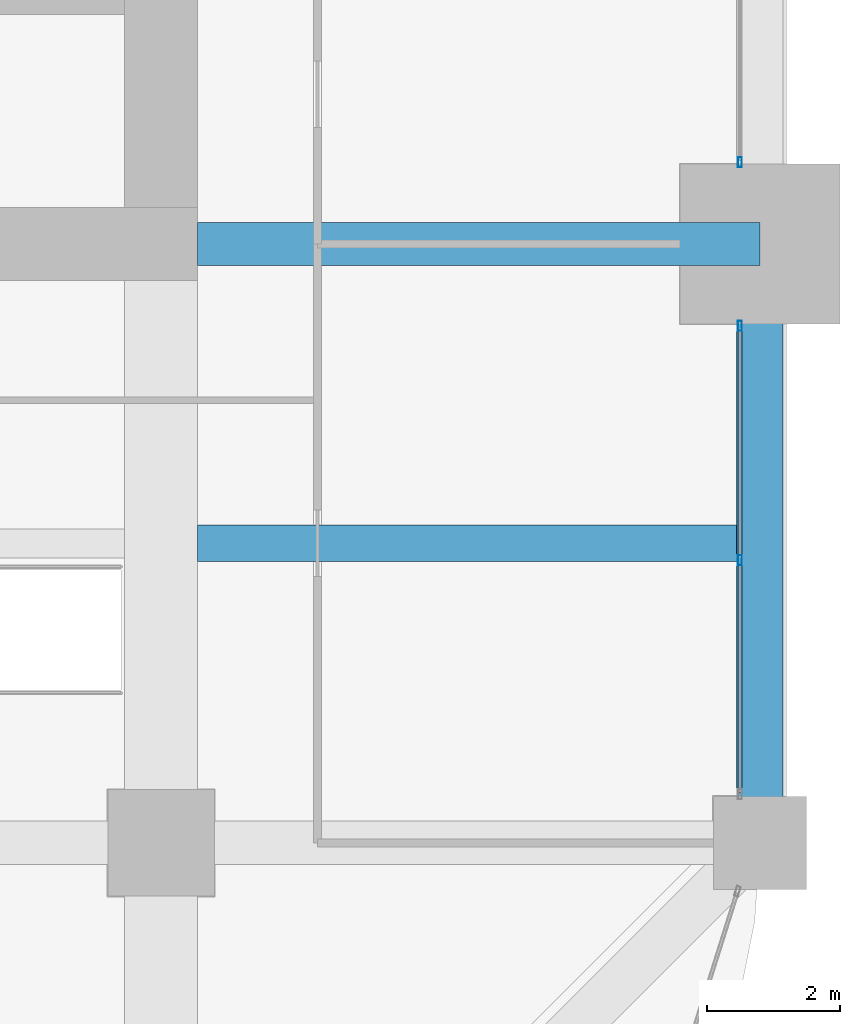
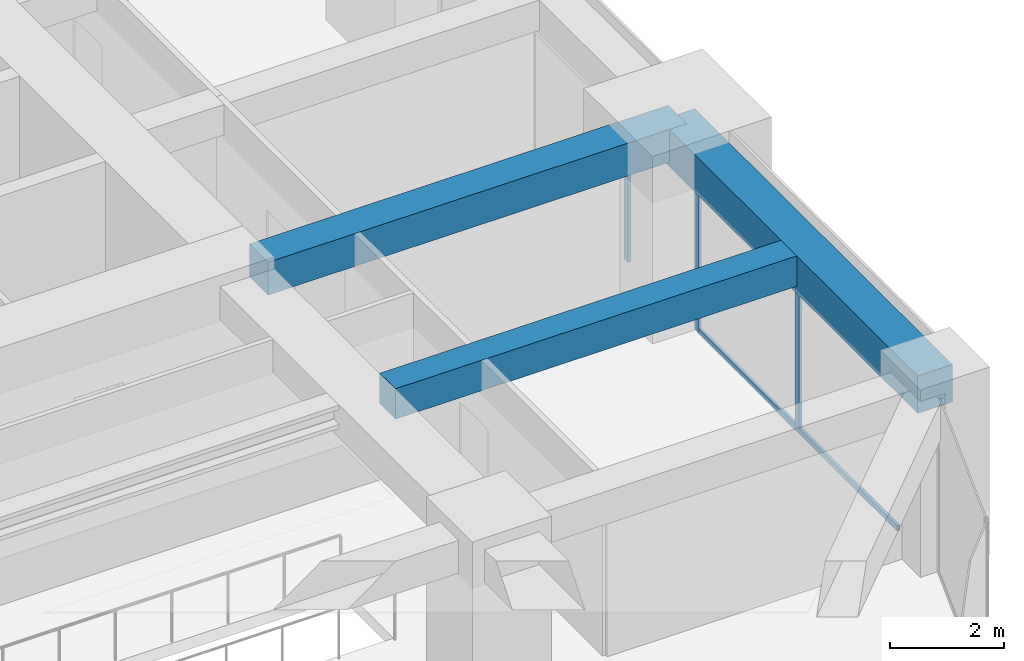
# One storey, part 17 of 33: 4 members, 3 beams, 2 elements without a shape of their own.
"""IFC4 building model written with IfcOpenShell, lengths in metres."""

from ifc_helpers import new_model, si_unit, direction, frame, origin, origin_2d, place, context, subcontext, project, spatial, rectangle, hollow_rectangle, extrude, material, material_profile, profile_set, type_object, element, aggregate, save


model = new_model("IFC4")

# Units and contexts
model_context = context("Model", 3, precision=1e-05, world=origin(), true_north=direction((0.0, 1.0)))
body_context = subcontext(model_context, "Body", "Model", "MODEL_VIEW")
ifc_project = project(units=[si_unit("LENGTHUNIT", "METRE"), si_unit("AREAUNIT", "SQUARE_METRE"), si_unit("VOLUMEUNIT", "CUBIC_METRE"), si_unit("PLANEANGLEUNIT", "RADIAN"), si_unit("MASSUNIT", "GRAM", prefix="KILO")], contexts=[model_context])

# Site, building, storey
site_placement = place(None, origin())
site = spatial("IfcSite", under=ifc_project, at=site_placement, CompositionType="ELEMENT")
building_placement = place(site_placement, origin())
building = spatial("IfcBuilding", under=site, at=building_placement, Name="Zorevar Civic Tower", CompositionType="ELEMENT")
storey_placement = place(building_placement, frame((0.0, 0.0, 178.199951171875)))
storey = spatial("IfcBuildingStorey", under=building, at=storey_placement, Name="L43", CompositionType="ELEMENT", Elevation=178.199951171875)

# Beams
ifc_material_1 = material(Name="Concrete C50/60", Category="concrete")
ifc_material_profile_1 = material_profile(ifc_material_1, rectangle(XDim=0.550048828125, YDim=0.64990234375, at=origin_2d()), Name="RC 550x650")
ifc_profile_set_1 = profile_set([ifc_material_profile_1], Name="Concrete C50/60")
beam_type_1 = type_object("IfcBeamType", Name="Beam RC 550x650", PredefinedType="BEAM", material=ifc_profile_set_1)
beam_1_placement = place(storey_placement, frame((45.550048828125, 13.5, 3.425048828125), z_axis=(1.0, 0.0, 0.0), x_axis=(0.0, 1.0, 0.0)))
element("IfcBeam", 1, at=beam_1_placement, inside=storey, type_object=beam_type_1, Name="Secondary beam L44", PredefinedType="BEAM", context=body_context, shape_type="SweptSolid", body=[
    extrude(rectangle(XDim=0.550048828125, YDim=0.64990234375, at=origin_2d()), origin(), (0.0, 0.0, 1.0), 8.099853515625),
])
ifc_material_2 = material(Name="Concrete C50/60", Category="concrete")
ifc_material_profile_2 = material_profile(ifc_material_2, rectangle(XDim=0.64990234375, YDim=0.699951171875, at=origin_2d()), Name="RC 650x700")
ifc_profile_set_2 = profile_set([ifc_material_profile_2], Name="Concrete C50/60")
beam_type_2 = type_object("IfcBeamType", Name="Beam RC 650x700", PredefinedType="BEAM", material=ifc_profile_set_2)
beam_2_placement = place(storey_placement, frame((45.550048828125, 18.0, 3.400146484375), z_axis=(1.0, 0.0, 0.0), x_axis=(0.0, 1.0, 0.0)))
element("IfcBeam", 2, at=beam_2_placement, inside=storey, type_object=beam_type_2, Name="Girder L44", PredefinedType="BEAM", context=body_context, shape_type="SweptSolid", body=[
    extrude(rectangle(XDim=0.64990234375, YDim=0.699951171875, at=origin_2d()), origin(), (0.0, 0.0, 1.0), 8.449951171875),
])

# Curtain wall, members
ifc_material_3 = material(Name="Dark grey solar-control glass in black aluminium frame", Category="aluminium")
curtain_wall_type = type_object("IfcCurtainWallType", Name="Curtain wall CW4 high zone", PredefinedType="NOTDEFINED", material=ifc_material_3)
curtain_wall_1_placement = place(storey_placement, origin())
curtain_wall_1 = element("IfcCurtainWall", 3, at=curtain_wall_1_placement, inside=storey, type_object=curtain_wall_type, Name="CW4 L43", PredefinedType="NOTDEFINED")
ifc_material_4 = material(Name="Aluminium, black anodised", Category="aluminium")
ifc_material_profile_3 = material_profile(ifc_material_4, hollow_rectangle(XDim=0.06005859375, YDim=0.14990234375, WallThickness=0.00390625, at=origin_2d()), Name="AL 150x60x4")
ifc_profile_set_3 = profile_set([ifc_material_profile_3], Name="Aluminium, black anodised")
member_type_1 = type_object("IfcMemberType", Name="CW4 mullion AL 150x60x4", PredefinedType="MULLION", material=ifc_profile_set_3)
member_1_placement = place(storey_placement, frame((53.699951171875, 13.25, 0.06005859375), z_axis=(0.0, 0.0, 1.0), x_axis=(-1.0, 0.0, 0.0)))
member_1 = element("IfcMember", 4, at=member_1_placement, type_object=member_type_1, Name="CW4 mullion 2", PredefinedType="MULLION", context=body_context, shape_type="SweptSolid", body=[
    extrude(hollow_rectangle(XDim=0.06005859375, YDim=0.14990234375, WallThickness=0.00390625, at=origin_2d()), origin(), (0.0, 0.0, 1.0), 2.889892578125),
])
member_2_placement = place(storey_placement, frame((53.699951171875, 16.77001953125, 0.0), z_axis=(0.0, 0.0, 1.0), x_axis=(-1.0, 0.0, 0.0)))
member_2 = element("IfcMember", 5, at=member_2_placement, type_object=member_type_1, Name="CW4 mullion 3", PredefinedType="MULLION", context=body_context, shape_type="SweptSolid", body=[
    extrude(hollow_rectangle(XDim=0.06005859375, YDim=0.14990234375, WallThickness=0.00390625, at=origin_2d()), origin(), (0.0, 0.0, 1.0), 2.949951171875),
])

# Curtain wall, member
curtain_wall_2_placement = place(storey_placement, origin())
curtain_wall_2 = element("IfcCurtainWall", 6, at=curtain_wall_2_placement, inside=storey, type_object=curtain_wall_type, Name="CW4 L43", PredefinedType="NOTDEFINED")
member_3_placement = place(storey_placement, frame((53.699951171875, 19.22998046875, 0.0), z_axis=(0.0, 0.0, 1.0), x_axis=(-1.0, 0.0, 0.0)))
member_3 = element("IfcMember", 7, at=member_3_placement, type_object=member_type_1, Name="CW4 mullion 1", PredefinedType="MULLION", context=body_context, shape_type="SweptSolid", body=[
    extrude(hollow_rectangle(XDim=0.06005859375, YDim=0.14990234375, WallThickness=0.00390625, at=origin_2d()), origin(), (0.0, 0.0, 1.0), 2.949951171875),
])
aggregate(curtain_wall_2, [member_3])

# Member
ifc_material_5 = material(Name="Aluminium, black anodised", Category="aluminium")
ifc_material_profile_4 = material_profile(ifc_material_5, hollow_rectangle(XDim=0.06005859375, YDim=0.1201171875, WallThickness=0.0029296875, at=origin_2d()), Name="AL 120x60x3")
ifc_profile_set_4 = profile_set([ifc_material_profile_4], Name="Aluminium, black anodised")
member_type_2 = type_object("IfcMemberType", Name="CW4 transom AL 120x60x3", PredefinedType="USERDEFINED", material=ifc_profile_set_4)
member_4_placement = place(storey_placement, frame((53.699951171875, 9.760009765625, 0.030029296875), z_axis=(0.0, 1.0, 0.0), x_axis=(-1.0, 0.0, 0.0)))
member_4 = element("IfcMember", 8, at=member_4_placement, type_object=member_type_2, Name="CW4 sill transom", ObjectType="TRANSOM", PredefinedType="USERDEFINED", context=body_context, shape_type="SweptSolid", body=[
    extrude(hollow_rectangle(XDim=0.06005859375, YDim=0.1201171875, WallThickness=0.0029296875, at=origin_2d()), origin(), (0.0, 0.0, 1.0), 6.97998046875),
])

aggregate(curtain_wall_1, [member_1, member_2, member_4])

# Beam
ifc_material_6 = material(Name="Concrete C50/60", Category="concrete")
ifc_material_profile_5 = material_profile(ifc_material_6, rectangle(XDim=0.699951171875, YDim=0.800048828125, at=origin_2d()), Name="RC 700x800")
ifc_profile_set_5 = profile_set([ifc_material_profile_5], Name="Concrete C50/60")
beam_type_3 = type_object("IfcBeamType", Name="Edge beam RC 700x800", PredefinedType="SPANDREL", material=ifc_profile_set_5)
beam_3_placement = place(storey_placement, frame((54.0, 9.0, 3.35009765625), z_axis=(0.0, 1.0, 0.0), x_axis=(-1.0, 0.0, 0.0)))
element("IfcBeam", 9, at=beam_3_placement, inside=storey, type_object=beam_type_3, Name="Edge beam L44", PredefinedType="SPANDREL", context=body_context, shape_type="SweptSolid", body=[
    extrude(rectangle(XDim=0.699951171875, YDim=0.800048828125, at=origin_2d()), origin(), (0.0, 0.0, 1.0), 9.0),
])

save(model, "model.ifc")
